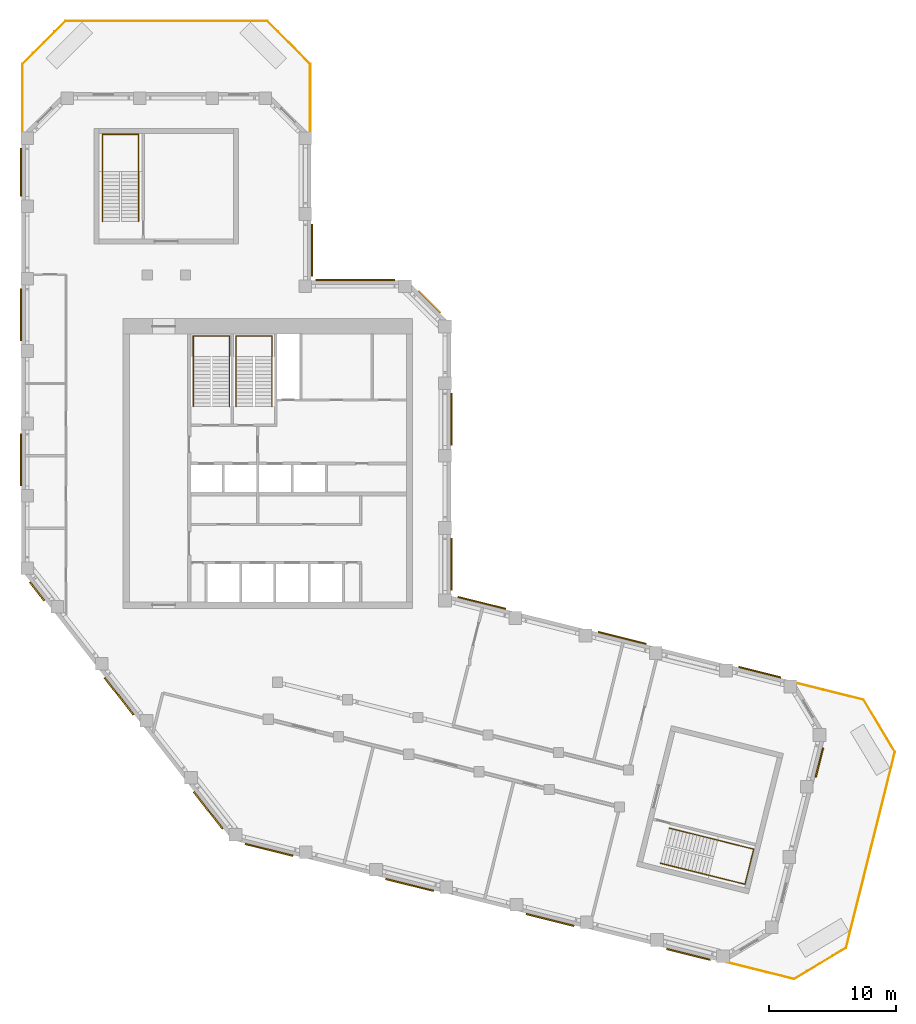
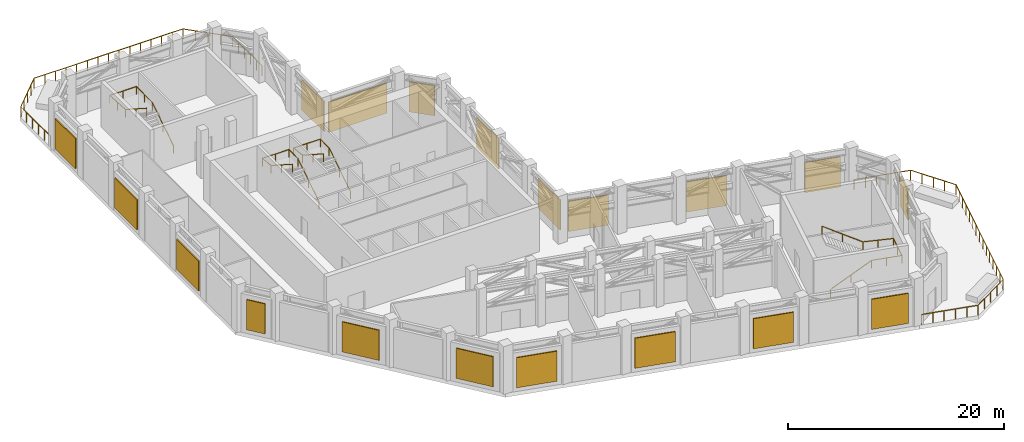
# One storey, part 8 of 8: 19 shading devices, 6 railings.
"""IFC4 building model written with IfcOpenShell, lengths in metres."""

from ifc_helpers import new_model, si_unit, direction, frame, origin, origin_2d, place, context, subcontext, project, spatial, rectangle, circle, extrude, material, layer, layer_set, type_object, element, save


model = new_model("IFC4")

# Units and contexts
model_context = context("Model", 3, precision=1e-05, world=origin(), true_north=direction((0.0, 1.0)))
body_context = subcontext(model_context, "Body", "Model", "MODEL_VIEW")
ifc_project = project(units=[si_unit("LENGTHUNIT", "METRE"), si_unit("AREAUNIT", "SQUARE_METRE"), si_unit("VOLUMEUNIT", "CUBIC_METRE"), si_unit("PLANEANGLEUNIT", "RADIAN"), si_unit("MASSUNIT", "GRAM", prefix="KILO")], contexts=[model_context])

# Site, building, storey
site_placement = place(None, origin())
site = spatial("IfcSite", under=ifc_project, at=site_placement, CompositionType="ELEMENT")
building_placement = place(site_placement, origin())
building = spatial("IfcBuilding", under=site, at=building_placement, Name="Meshkara Civic Tower", CompositionType="ELEMENT")
storey_placement = place(building_placement, frame((0.0, 0.0, 348.60009765625)))
storey = spatial("IfcBuildingStorey", under=building, at=storey_placement, Name="L80", CompositionType="ELEMENT", Elevation=348.60009765625)

# Shading devices
ifc_material_1 = material(Name="Bronze anodised aluminium louvre blades", Category="aluminium")
ifc_layer = layer(ifc_material_1, 0.1201171875)
ifc_layer_set = layer_set([ifc_layer], Name="PLANT LOUVRE BANK")
shading_device_type = type_object("IfcShadingDeviceType", Name="PLANT LOUVRE BANK", PredefinedType="USERDEFINED", material=ifc_layer_set)
shading_device_1_placement = place(storey_placement, frame((58.1259765625, 9.06689453125, 0.5), z_axis=(0.0, 0.0, 1.0), x_axis=(-0.970291503795, 0.241938830418, 0.0)))
element("IfcShadingDevice", 1, at=shading_device_1_placement, inside=storey, type_object=shading_device_type, Name="Louvre bank", ObjectType="LOUVRE", PredefinedType="USERDEFINED", context=body_context, shape_type="SweptSolid", body=[
    extrude(rectangle(XDim=3.403076171875, YDim=0.1201171875, at=origin_2d()), origin(), (0.0, 0.0, 1.0), 3.39990234375),
])
for number, where, z_axis, x_axis, name in (
    (2, (47.300048828125, 11.76708984375, 0.5), (0.0, 0.0, 1.0), (-0.970291503795, 0.241938830418, 0.0), "Louvre bank"),
    (3, (36.239013671875, 14.52490234375, 0.5), (0.0, 0.0, 1.0), (-0.970291503795, 0.241938830418, 0.0), "Louvre bank"),
):
    element("IfcShadingDevice", number, at=place(storey_placement, frame(where, z_axis=z_axis, x_axis=x_axis)), inside=storey, type_object=shading_device_type, Name=name, ObjectType="LOUVRE", PredefinedType="USERDEFINED", context=body_context, shape_type="SweptSolid", body=[
        extrude(rectangle(XDim=3.887939453125, YDim=0.1201171875, at=origin_2d()), origin(), (0.0, 0.0, 1.0), 3.39990234375),
    ])
for number, where, z_axis, x_axis, name in (
    (4, (33.860107421875, 17.569091796875, 0.5), (0.0, 0.0, 1.0), (0.0, 1.0, 0.0), "Louvre bank"),
    (5, (33.860107421875, 28.968994140625, 0.5), (0.0, 0.0, 1.0), (0.0, 1.0, 0.0), "Louvre bank"),
):
    element("IfcShadingDevice", number, at=place(storey_placement, frame(where, z_axis=z_axis, x_axis=x_axis)), inside=storey, type_object=shading_device_type, Name=name, ObjectType="LOUVRE", PredefinedType="USERDEFINED", context=body_context, shape_type="SweptSolid", body=[
        extrude(rectangle(XDim=4.10009765625, YDim=0.1201171875, at=origin_2d()), origin(), (0.0, 0.0, 1.0), 3.39990234375),
    ])
shading_device_2_placement = place(storey_placement, frame((32.132080078125, 38.23193359375, 0.5), z_axis=(0.0, 0.0, 1.0), x_axis=(-0.707106781187, 0.707106781187, 0.0)))
element("IfcShadingDevice", 6, at=shading_device_2_placement, inside=storey, type_object=shading_device_type, Name="Louvre bank", ObjectType="LOUVRE", PredefinedType="USERDEFINED", context=body_context, shape_type="SweptSolid", body=[
    extrude(rectangle(XDim=2.448974609375, YDim=0.1201171875, at=origin_2d()), origin(), (0.0, 0.0, 1.0), 3.39990234375),
])
shading_device_3_placement = place(storey_placement, frame((26.27197265625, 39.9599609375, 0.5), z_axis=(0.0, 0.0, 1.0), x_axis=(-1.0, 0.0, 0.0)))
element("IfcShadingDevice", 7, at=shading_device_3_placement, inside=storey, type_object=shading_device_type, Name="Louvre bank", ObjectType="LOUVRE", PredefinedType="USERDEFINED", context=body_context, shape_type="SweptSolid", body=[
    extrude(rectangle(XDim=6.243896484375, YDim=0.1201171875, at=origin_2d()), origin(), (0.0, 0.0, 1.0), 3.39990234375),
])
shading_device_4_placement = place(storey_placement, frame((22.860107421875, 42.300048828125, 0.5), z_axis=(0.0, 0.0, 1.0), x_axis=(0.0, 1.0, 0.0)))
element("IfcShadingDevice", 8, at=shading_device_4_placement, inside=storey, type_object=shading_device_type, Name="Louvre bank", ObjectType="LOUVRE", PredefinedType="USERDEFINED", context=body_context, shape_type="SweptSolid", body=[
    extrude(rectangle(XDim=4.10009765625, YDim=0.1201171875, at=origin_2d()), origin(), (0.0, 0.0, 1.0), 3.39990234375),
])
shading_device_5_placement = place(storey_placement, frame((-0.06005859375, 48.43408203125, 0.5), z_axis=(0.0, 0.0, 1.0), x_axis=(0.0, -1.0, 0.0)))
element("IfcShadingDevice", 9, at=shading_device_5_placement, inside=storey, type_object=shading_device_type, Name="Louvre bank", ObjectType="LOUVRE", PredefinedType="USERDEFINED", context=body_context, shape_type="SweptSolid", body=[
    extrude(rectangle(XDim=3.759033203125, YDim=0.1201171875, at=origin_2d()), origin(), (0.0, 0.0, 1.0), 3.39990234375),
])
for number, where, z_axis, x_axis, name in (
    (10, (-0.06005859375, 37.205078125, 0.5), (0.0, 0.0, 1.0), (0.0, -1.0, 0.0), "Louvre bank"),
    (11, (-0.06005859375, 25.804931640625, 0.5), (0.0, 0.0, 1.0), (0.0, -1.0, 0.0), "Louvre bank"),
):
    element("IfcShadingDevice", number, at=place(storey_placement, frame(where, z_axis=z_axis, x_axis=x_axis)), inside=storey, type_object=shading_device_type, Name=name, ObjectType="LOUVRE", PredefinedType="USERDEFINED", context=body_context, shape_type="SweptSolid", body=[
        extrude(rectangle(XDim=4.10009765625, YDim=0.1201171875, at=origin_2d()), origin(), (0.0, 0.0, 1.0), 3.39990234375),
    ])
shading_device_6_placement = place(storey_placement, frame((1.22998046875, 15.427978515625, 0.5), z_axis=(0.0, 0.0, 1.0), x_axis=(0.615661475326, -0.788010753607, 0.0)))
element("IfcShadingDevice", 12, at=shading_device_6_placement, inside=storey, type_object=shading_device_type, Name="Louvre bank", ObjectType="LOUVRE", PredefinedType="USERDEFINED", context=body_context, shape_type="SweptSolid", body=[
    extrude(rectangle(XDim=1.8359375, YDim=0.1201171875, at=origin_2d()), origin(), (0.0, 0.0, 1.0), 3.39990234375),
])
shading_device_7_placement = place(storey_placement, frame((7.676025390625, 7.177001953125, 0.5), z_axis=(0.0, 0.0, 1.0), x_axis=(0.615661475326, -0.788010753607, 0.0)))
element("IfcShadingDevice", 13, at=shading_device_7_placement, inside=storey, type_object=shading_device_type, Name="Louvre bank", ObjectType="LOUVRE", PredefinedType="USERDEFINED", context=body_context, shape_type="SweptSolid", body=[
    extrude(rectangle(XDim=3.697021484375, YDim=0.1201171875, at=origin_2d()), origin(), (0.0, 0.0, 1.0), 3.39990234375),
])
shading_device_8_placement = place(storey_placement, frame((14.695068359375, -1.805908203125, 0.5), z_axis=(0.0, 0.0, 1.0), x_axis=(0.615661475326, -0.788010753607, 0.0)))
element("IfcShadingDevice", 14, at=shading_device_8_placement, inside=storey, type_object=shading_device_type, Name="Louvre bank", ObjectType="LOUVRE", PredefinedType="USERDEFINED", context=body_context, shape_type="SweptSolid", body=[
    extrude(rectangle(XDim=3.696044921875, YDim=0.1201171875, at=origin_2d()), origin(), (0.0, 0.0, 1.0), 3.39990234375),
])
for number, where, z_axis, x_axis, name in (
    (15, (19.492919921875, -4.922119140625, 0.5), (0.0, 0.0, 1.0), (0.970295726276, -0.2419218956, 0.0), "Louvre bank"),
    (16, (30.553955078125, -7.679931640625, 0.5), (0.0, 0.0, 1.0), (0.970295726276, -0.2419218956, 0.0), "Louvre bank"),
):
    element("IfcShadingDevice", number, at=place(storey_placement, frame(where, z_axis=z_axis, x_axis=x_axis)), inside=storey, type_object=shading_device_type, Name=name, ObjectType="LOUVRE", PredefinedType="USERDEFINED", context=body_context, shape_type="SweptSolid", body=[
        extrude(rectangle(XDim=3.887939453125, YDim=0.1201171875, at=origin_2d()), origin(), (0.0, 0.0, 1.0), 3.39990234375),
    ])
shading_device_9_placement = place(storey_placement, frame((41.615966796875, -10.43798828125, 0.5), z_axis=(0.0, 0.0, 1.0), x_axis=(0.970295726276, -0.2419218956, 0.0)))
element("IfcShadingDevice", 17, at=shading_device_9_placement, inside=storey, type_object=shading_device_type, Name="Louvre bank", ObjectType="LOUVRE", PredefinedType="USERDEFINED", context=body_context, shape_type="SweptSolid", body=[
    extrude(rectangle(XDim=3.886962890625, YDim=0.1201171875, at=origin_2d()), origin(), (0.0, 0.0, 1.0), 3.39990234375),
])
shading_device_10_placement = place(storey_placement, frame((52.511962890625, -13.155029296875, 0.5), z_axis=(0.0, 0.0, 1.0), x_axis=(0.970295726276, -0.2419218956, 0.0)))
element("IfcShadingDevice", 18, at=shading_device_10_placement, inside=storey, type_object=shading_device_type, Name="Louvre bank", ObjectType="LOUVRE", PredefinedType="USERDEFINED", context=body_context, shape_type="SweptSolid", body=[
    extrude(rectangle(XDim=3.547119140625, YDim=0.1201171875, at=origin_2d()), origin(), (0.0, 0.0, 1.0), 3.39990234375),
])
shading_device_11_placement = place(storey_placement, frame((62.821044921875, 1.9599609375, 0.5), z_axis=(0.0, 0.0, 1.0), x_axis=(0.2419218956, 0.970295726276, 0.0)))
element("IfcShadingDevice", 19, at=shading_device_11_placement, inside=storey, type_object=shading_device_type, Name="Louvre bank", ObjectType="LOUVRE", PredefinedType="USERDEFINED", context=body_context, shape_type="SweptSolid", body=[
    extrude(rectangle(XDim=2.375, YDim=0.1201171875, at=origin_2d()), origin(), (0.0, 0.0, 1.0), 3.39990234375),
])

# Railings
ifc_material_2 = material(Name="Steel handrail", Category="steel")
railing_type_1 = type_object("IfcRailingType", Name="Stair handrail 900", PredefinedType="HANDRAIL", material=ifc_material_2)
railing_1_placement = place(storey_placement, frame((16.375, 30.0, 0.179931640625)))
element("IfcRailing", 20, at=railing_1_placement, inside=storey, type_object=railing_type_1, Name="L80 ST1 stair handrail 1", PredefinedType="HANDRAIL", context=body_context, shape_type="SweptSolid", body=[
    extrude(circle(Radius=0.02392578125, at=origin_2d()), frame((0.0, 0.0, 0.8759765625), z_axis=(0.0, 0.841171666519, 0.540768182723), x_axis=(-1.0, 0.0, 0.0)), (0.0, 0.0, 1.0), 4.66015625),
    extrude(circle(Radius=0.02392578125, at=origin_2d()), frame((0.0, 3.919921875, 3.39599609375), z_axis=(0.0, 1.0, 0.0), x_axis=(-1.0, 0.0, 0.0)), (0.0, 0.0, 1.0), 1.630126953125),
    extrude(circle(Radius=0.02392578125, at=origin_2d()), frame((0.0, 5.550048828125, 3.39599609375), z_axis=(-1.0, 0.0, 0.0), x_axis=(0.0, -1.0, 0.0)), (0.0, 0.0, 1.0), 2.85009765625),
    extrude(circle(Radius=0.02392578125, at=origin_2d()), frame((-2.85009765625, 5.550048828125, 3.39599609375), z_axis=(0.0, -0.99396335279, 0.10971259413), x_axis=(1.0, 0.0, 0.0)), (0.0, 0.0, 1.0), 1.64013671875),
    extrude(circle(Radius=0.02392578125, at=origin_2d()), frame((-2.85009765625, 3.919921875, 3.57568359375), z_axis=(0.0, -0.841171666519, 0.540768182723), x_axis=(1.0, 0.0, 0.0)), (0.0, 0.0, 1.0), 4.66015625),
    extrude(circle(Radius=0.02099609375, at=origin_2d()), origin(), (0.0, 0.0, 1.0), 0.851806640625),
    extrude(circle(Radius=0.02099609375, at=origin_2d()), frame((0.0, 1.9599609375, 1.260009765625)), (0.0, 0.0, 1.0), 0.851806640625),
    extrude(circle(Radius=0.02099609375, at=origin_2d()), frame((0.0, 3.919921875, 2.52001953125)), (0.0, 0.0, 1.0), 0.851806640625),
    extrude(circle(Radius=0.02099609375, at=origin_2d()), frame((0.0, 5.550048828125, 2.52001953125)), (0.0, 0.0, 1.0), 0.851806640625),
    extrude(circle(Radius=0.02099609375, at=origin_2d()), frame((-1.425048828125, 5.550048828125, 2.52001953125)), (0.0, 0.0, 1.0), 0.851806640625),
    extrude(circle(Radius=0.02099609375, at=origin_2d()), frame((-2.85009765625, 5.550048828125, 2.52001953125)), (0.0, 0.0, 1.0), 0.851806640625),
    extrude(circle(Radius=0.02099609375, at=origin_2d()), frame((-2.85009765625, 3.919921875, 2.699951171875)), (0.0, 0.0, 1.0), 0.851806640625),
    extrude(circle(Radius=0.02099609375, at=origin_2d()), frame((-2.85009765625, 1.9599609375, 3.9599609375)), (0.0, 0.0, 1.0), 0.851806640625),
    extrude(circle(Radius=0.02099609375, at=origin_2d()), frame((-2.85009765625, 0.0, 5.219970703125)), (0.0, 0.0, 1.0), 0.851806640625),
])
railing_2_placement = place(storey_placement, frame((19.72509765625, 30.0, 0.179931640625)))
element("IfcRailing", 21, at=railing_2_placement, inside=storey, type_object=railing_type_1, Name="L80 ST2 stair handrail 1", PredefinedType="HANDRAIL", context=body_context, shape_type="SweptSolid", body=[
    extrude(circle(Radius=0.02392578125, at=origin_2d()), frame((0.0, 0.0, 0.8759765625), z_axis=(0.0, 0.841171666519, 0.540768182723), x_axis=(-1.0, 0.0, 0.0)), (0.0, 0.0, 1.0), 4.66015625),
    extrude(circle(Radius=0.02392578125, at=origin_2d()), frame((0.0, 3.919921875, 3.39599609375), z_axis=(0.0, 1.0, 0.0), x_axis=(-1.0, 0.0, 0.0)), (0.0, 0.0, 1.0), 1.630126953125),
    extrude(circle(Radius=0.02392578125, at=origin_2d()), frame((0.0, 5.550048828125, 3.39599609375), z_axis=(-1.0, 0.0, 0.0), x_axis=(0.0, -1.0, 0.0)), (0.0, 0.0, 1.0), 2.85009765625),
    extrude(circle(Radius=0.02392578125, at=origin_2d()), frame((-2.85009765625, 5.550048828125, 3.39599609375), z_axis=(0.0, -0.99396335279, 0.10971259413), x_axis=(1.0, 0.0, 0.0)), (0.0, 0.0, 1.0), 1.64013671875),
    extrude(circle(Radius=0.02392578125, at=origin_2d()), frame((-2.85009765625, 3.919921875, 3.57568359375), z_axis=(0.0, -0.841171666519, 0.540768182723), x_axis=(1.0, 0.0, 0.0)), (0.0, 0.0, 1.0), 4.66015625),
    extrude(circle(Radius=0.02099609375, at=origin_2d()), origin(), (0.0, 0.0, 1.0), 0.851806640625),
    extrude(circle(Radius=0.02099609375, at=origin_2d()), frame((0.0, 1.9599609375, 1.260009765625)), (0.0, 0.0, 1.0), 0.851806640625),
    extrude(circle(Radius=0.02099609375, at=origin_2d()), frame((0.0, 3.919921875, 2.52001953125)), (0.0, 0.0, 1.0), 0.851806640625),
    extrude(circle(Radius=0.02099609375, at=origin_2d()), frame((0.0, 5.550048828125, 2.52001953125)), (0.0, 0.0, 1.0), 0.851806640625),
    extrude(circle(Radius=0.02099609375, at=origin_2d()), frame((-1.425048828125, 5.550048828125, 2.52001953125)), (0.0, 0.0, 1.0), 0.851806640625),
    extrude(circle(Radius=0.02099609375, at=origin_2d()), frame((-2.85009765625, 5.550048828125, 2.52001953125)), (0.0, 0.0, 1.0), 0.851806640625),
    extrude(circle(Radius=0.02099609375, at=origin_2d()), frame((-2.85009765625, 3.919921875, 2.699951171875)), (0.0, 0.0, 1.0), 0.851806640625),
    extrude(circle(Radius=0.02099609375, at=origin_2d()), frame((-2.85009765625, 1.9599609375, 3.9599609375)), (0.0, 0.0, 1.0), 0.851806640625),
    extrude(circle(Radius=0.02099609375, at=origin_2d()), frame((-2.85009765625, 0.0, 5.219970703125)), (0.0, 0.0, 1.0), 0.851806640625),
])
railing_3_placement = place(storey_placement, frame((9.22509765625, 44.570068359375, 0.179931640625)))
element("IfcRailing", 22, at=railing_3_placement, inside=storey, type_object=railing_type_1, Name="L80 ESA6 stair handrail 1", PredefinedType="HANDRAIL", context=body_context, shape_type="SweptSolid", body=[
    extrude(circle(Radius=0.02392578125, at=origin_2d()), frame((0.0, 0.0, 0.8759765625), z_axis=(0.0, 0.841171666519, 0.540768182723), x_axis=(-1.0, 0.0, 0.0)), (0.0, 0.0, 1.0), 4.66015625),
    extrude(circle(Radius=0.02392578125, at=origin_2d()), frame((0.0, 3.919921875, 3.39599609375), z_axis=(0.0, 1.0, 0.0), x_axis=(-1.0, 0.0, 0.0)), (0.0, 0.0, 1.0), 2.929931640625),
    extrude(circle(Radius=0.02392578125, at=origin_2d()), frame((0.0, 6.849853515625, 3.39599609375), z_axis=(-1.0, 0.0, 0.0), x_axis=(0.0, -1.0, 0.0)), (0.0, 0.0, 1.0), 2.85009765625),
    extrude(circle(Radius=0.02392578125, at=origin_2d()), frame((-2.85009765625, 6.849853515625, 3.39599609375), z_axis=(0.0, -0.99811962785, 0.061296072471), x_axis=(1.0, 0.0, 0.0)), (0.0, 0.0, 1.0), 2.935546875),
    extrude(circle(Radius=0.02392578125, at=origin_2d()), frame((-2.85009765625, 3.919921875, 3.57568359375), z_axis=(0.0, -0.841171666519, 0.540768182723), x_axis=(1.0, 0.0, 0.0)), (0.0, 0.0, 1.0), 4.66015625),
    extrude(circle(Radius=0.02099609375, at=origin_2d()), origin(), (0.0, 0.0, 1.0), 0.851806640625),
    extrude(circle(Radius=0.02099609375, at=origin_2d()), frame((0.0, 1.9599609375, 1.260009765625)), (0.0, 0.0, 1.0), 0.851806640625),
    extrude(circle(Radius=0.02099609375, at=origin_2d()), frame((0.0, 3.919921875, 2.52001953125)), (0.0, 0.0, 1.0), 0.851806640625),
    extrude(circle(Radius=0.02099609375, at=origin_2d()), frame((0.0, 5.384765625, 2.52001953125)), (0.0, 0.0, 1.0), 0.851806640625),
    extrude(circle(Radius=0.02099609375, at=origin_2d()), frame((0.0, 6.849853515625, 2.52001953125)), (0.0, 0.0, 1.0), 0.851806640625),
    extrude(circle(Radius=0.02099609375, at=origin_2d()), frame((-1.425048828125, 6.849853515625, 2.52001953125)), (0.0, 0.0, 1.0), 0.851806640625),
    extrude(circle(Radius=0.02099609375, at=origin_2d()), frame((-2.85009765625, 6.849853515625, 2.52001953125)), (0.0, 0.0, 1.0), 0.851806640625),
    extrude(circle(Radius=0.02099609375, at=origin_2d()), frame((-2.85009765625, 5.384765625, 2.60986328125)), (0.0, 0.0, 1.0), 0.851806640625),
    extrude(circle(Radius=0.02099609375, at=origin_2d()), frame((-2.85009765625, 3.919921875, 2.699951171875)), (0.0, 0.0, 1.0), 0.851806640625),
    extrude(circle(Radius=0.02099609375, at=origin_2d()), frame((-2.85009765625, 1.9599609375, 3.9599609375)), (0.0, 0.0, 1.0), 0.851806640625),
    extrude(circle(Radius=0.02099609375, at=origin_2d()), frame((-2.85009765625, 0.0, 5.219970703125)), (0.0, 0.0, 1.0), 0.851806640625),
])
railing_4_placement = place(storey_placement, frame((50.31884765625, -5.975341796875, 0.179931640625)))
element("IfcRailing", 23, at=railing_4_placement, inside=storey, type_object=railing_type_1, Name="L80 ESB6 stair handrail 1", PredefinedType="HANDRAIL", context=body_context, shape_type="SweptSolid", body=[
    extrude(circle(Radius=0.02392578125, at=origin_2d()), frame((0.0, 0.0, 0.8759765625), z_axis=(0.816212861428, -0.203424553333, 0.540754117822), x_axis=(0.241832166762, 0.970318093781, 0.0)), (0.0, 0.0, 1.0), 4.66015625),
    extrude(circle(Radius=0.02392578125, at=origin_2d()), frame((3.8037109375, -0.947998046875, 3.39599609375), z_axis=(0.970323584082, -0.241810136626, 0.0), x_axis=(0.241810136626, 0.970323584082, 0.0)), (0.0, 0.0, 1.0), 2.929931640625),
    extrude(circle(Radius=0.02392578125, at=origin_2d()), frame((6.646728515625, -1.656494140625, 3.39599609375), z_axis=(0.24183009087, 0.970318611153, 0.0), x_axis=(-0.970318611153, 0.24183009087, 0.0)), (0.0, 0.0, 1.0), 2.849853515625),
    extrude(circle(Radius=0.02392578125, at=origin_2d()), frame((7.3359375, 1.10888671875, 3.39599609375), z_axis=(-0.968479616819, 0.241433776524, 0.061294072786), x_axis=(-0.241888587383, -0.97030403034, 0.0)), (0.0, 0.0, 1.0), 2.935546875),
    extrude(circle(Radius=0.02392578125, at=origin_2d()), frame((4.492919921875, 1.817626953125, 3.57568359375), z_axis=(-0.816221558915, 0.203374331945, 0.540759880046), x_axis=(-0.241773528006, -0.970332706424, 0.0)), (0.0, 0.0, 1.0), 4.66015625),
    extrude(circle(Radius=0.02099609375, at=origin_2d()), origin(), (0.0, 0.0, 1.0), 0.851806640625),
    extrude(circle(Radius=0.02099609375, at=origin_2d()), frame((1.90185546875, -0.47412109375, 1.260009765625)), (0.0, 0.0, 1.0), 0.851806640625),
    extrude(circle(Radius=0.02099609375, at=origin_2d()), frame((3.8037109375, -0.947998046875, 2.52001953125)), (0.0, 0.0, 1.0), 0.851806640625),
    extrude(circle(Radius=0.02099609375, at=origin_2d()), frame((5.22509765625, -1.30224609375, 2.52001953125)), (0.0, 0.0, 1.0), 0.851806640625),
    extrude(circle(Radius=0.02099609375, at=origin_2d()), frame((6.646728515625, -1.656494140625, 2.52001953125)), (0.0, 0.0, 1.0), 0.851806640625),
    extrude(circle(Radius=0.02099609375, at=origin_2d()), frame((6.9912109375, -0.27392578125, 2.52001953125)), (0.0, 0.0, 1.0), 0.851806640625),
    extrude(circle(Radius=0.02099609375, at=origin_2d()), frame((7.3359375, 1.10888671875, 2.52001953125)), (0.0, 0.0, 1.0), 0.851806640625),
    extrude(circle(Radius=0.02099609375, at=origin_2d()), frame((5.91455078125, 1.46337890625, 2.60986328125)), (0.0, 0.0, 1.0), 0.851806640625),
    extrude(circle(Radius=0.02099609375, at=origin_2d()), frame((4.492919921875, 1.817626953125, 2.699951171875)), (0.0, 0.0, 1.0), 0.851806640625),
    extrude(circle(Radius=0.02099609375, at=origin_2d()), frame((2.591064453125, 2.29150390625, 3.9599609375)), (0.0, 0.0, 1.0), 0.851806640625),
    extrude(circle(Radius=0.02099609375, at=origin_2d()), frame((0.689208984375, 2.765380859375, 5.219970703125)), (0.0, 0.0, 1.0), 0.851806640625),
])
ifc_material_3 = material(Name="Steel S355", Category="steel")
railing_type_2 = type_object("IfcRailingType", Name="TERRACE BALUSTRADE 1150", PredefinedType="BALUSTRADE", material=ifc_material_3)
railing_5_placement = place(storey_placement, frame((0.070068359375, 51.510986328125, 0.0)))
element("IfcRailing", 24, at=railing_5_placement, inside=storey, type_object=railing_type_2, Name="Terrace guard", PredefinedType="BALUSTRADE", context=body_context, shape_type="SweptSolid", body=[
    extrude(circle(Radius=0.02392578125, at=origin_2d()), frame((0.0, 0.0, 1.1259765625), z_axis=(0.0, 1.0, 0.0), x_axis=(-1.0, 0.0, 0.0)), (0.0, 0.0, 1.0), 5.4599609375),
    extrude(circle(Radius=0.02392578125, at=origin_2d()), frame((0.0, 5.4599609375, 1.1259765625), z_axis=(0.707081235883, 0.707132325567, 0.0), x_axis=(-0.707132325567, 0.707081235883, 0.0)), (0.0, 0.0, 1.0), 4.778564453125),
    extrude(circle(Radius=0.02392578125, at=origin_2d()), frame((3.37890625, 8.839111328125, 1.1259765625), z_axis=(1.0, 0.0, 0.0), x_axis=(0.0, 1.0, 0.0)), (0.0, 0.0, 1.0), 15.902099609375),
    extrude(circle(Radius=0.02392578125, at=origin_2d()), frame((19.281005859375, 8.839111328125, 1.1259765625), z_axis=(0.707081235883, -0.707132325567, 0.0), x_axis=(0.707132325567, 0.707081235883, 0.0)), (0.0, 0.0, 1.0), 4.778564453125),
    extrude(circle(Radius=0.02392578125, at=origin_2d()), frame((22.659912109375, 5.4599609375, 1.1259765625), z_axis=(0.0, -1.0, 0.0), x_axis=(1.0, 0.0, 0.0)), (0.0, 0.0, 1.0), 5.4599609375),
    extrude(circle(Radius=0.02099609375, at=origin_2d()), origin(), (0.0, 0.0, 1.0), 1.101806640625),
    extrude(circle(Radius=0.02099609375, at=origin_2d()), frame((0.0, 1.092041015625, 0.0)), (0.0, 0.0, 1.0), 1.101806640625),
    extrude(circle(Radius=0.02099609375, at=origin_2d()), frame((0.0, 2.18408203125, 0.0)), (0.0, 0.0, 1.0), 1.101806640625),
    extrude(circle(Radius=0.02099609375, at=origin_2d()), frame((0.0, 3.27587890625, 0.0)), (0.0, 0.0, 1.0), 1.101806640625),
    extrude(circle(Radius=0.02099609375, at=origin_2d()), frame((0.0, 4.367919921875, 0.0)), (0.0, 0.0, 1.0), 1.101806640625),
    extrude(circle(Radius=0.02099609375, at=origin_2d()), frame((0.0, 5.4599609375, 0.0)), (0.0, 0.0, 1.0), 1.101806640625),
    extrude(circle(Radius=0.02099609375, at=origin_2d()), frame((0.8447265625, 6.3046875, 0.0)), (0.0, 0.0, 1.0), 1.101806640625),
    extrude(circle(Radius=0.02099609375, at=origin_2d()), frame((1.689453125, 7.1494140625, 0.0)), (0.0, 0.0, 1.0), 1.101806640625),
    extrude(circle(Radius=0.02099609375, at=origin_2d()), frame((2.5341796875, 7.994384765625, 0.0)), (0.0, 0.0, 1.0), 1.101806640625),
    extrude(circle(Radius=0.02099609375, at=origin_2d()), frame((3.37890625, 8.839111328125, 0.0)), (0.0, 0.0, 1.0), 1.101806640625),
    extrude(circle(Radius=0.02099609375, at=origin_2d()), frame((4.5146484375, 8.839111328125, 0.0)), (0.0, 0.0, 1.0), 1.101806640625),
    extrude(circle(Radius=0.02099609375, at=origin_2d()), frame((5.650634765625, 8.839111328125, 0.0)), (0.0, 0.0, 1.0), 1.101806640625),
    extrude(circle(Radius=0.02099609375, at=origin_2d()), frame((6.78662109375, 8.839111328125, 0.0)), (0.0, 0.0, 1.0), 1.101806640625),
    extrude(circle(Radius=0.02099609375, at=origin_2d()), frame((7.92236328125, 8.839111328125, 0.0)), (0.0, 0.0, 1.0), 1.101806640625),
    extrude(circle(Radius=0.02099609375, at=origin_2d()), frame((9.05810546875, 8.839111328125, 0.0)), (0.0, 0.0, 1.0), 1.101806640625),
    extrude(circle(Radius=0.02099609375, at=origin_2d()), frame((10.194091796875, 8.839111328125, 0.0)), (0.0, 0.0, 1.0), 1.101806640625),
    extrude(circle(Radius=0.02099609375, at=origin_2d()), frame((11.330078125, 8.839111328125, 0.0)), (0.0, 0.0, 1.0), 1.101806640625),
    extrude(circle(Radius=0.02099609375, at=origin_2d()), frame((12.4658203125, 8.839111328125, 0.0)), (0.0, 0.0, 1.0), 1.101806640625),
    extrude(circle(Radius=0.02099609375, at=origin_2d()), frame((13.6015625, 8.839111328125, 0.0)), (0.0, 0.0, 1.0), 1.101806640625),
    extrude(circle(Radius=0.02099609375, at=origin_2d()), frame((14.737548828125, 8.839111328125, 0.0)), (0.0, 0.0, 1.0), 1.101806640625),
    extrude(circle(Radius=0.02099609375, at=origin_2d()), frame((15.87353515625, 8.839111328125, 0.0)), (0.0, 0.0, 1.0), 1.101806640625),
    extrude(circle(Radius=0.02099609375, at=origin_2d()), frame((17.00927734375, 8.839111328125, 0.0)), (0.0, 0.0, 1.0), 1.101806640625),
    extrude(circle(Radius=0.02099609375, at=origin_2d()), frame((18.14501953125, 8.839111328125, 0.0)), (0.0, 0.0, 1.0), 1.101806640625),
    extrude(circle(Radius=0.02099609375, at=origin_2d()), frame((19.281005859375, 8.839111328125, 0.0)), (0.0, 0.0, 1.0), 1.101806640625),
    extrude(circle(Radius=0.02099609375, at=origin_2d()), frame((20.125732421875, 7.994384765625, 0.0)), (0.0, 0.0, 1.0), 1.101806640625),
    extrude(circle(Radius=0.02099609375, at=origin_2d()), frame((20.970458984375, 7.1494140625, 0.0)), (0.0, 0.0, 1.0), 1.101806640625),
    extrude(circle(Radius=0.02099609375, at=origin_2d()), frame((21.815185546875, 6.3046875, 0.0)), (0.0, 0.0, 1.0), 1.101806640625),
    extrude(circle(Radius=0.02099609375, at=origin_2d()), frame((22.659912109375, 5.4599609375, 0.0)), (0.0, 0.0, 1.0), 1.101806640625),
    extrude(circle(Radius=0.02099609375, at=origin_2d()), frame((22.659912109375, 4.367919921875, 0.0)), (0.0, 0.0, 1.0), 1.101806640625),
    extrude(circle(Radius=0.02099609375, at=origin_2d()), frame((22.659912109375, 3.27587890625, 0.0)), (0.0, 0.0, 1.0), 1.101806640625),
    extrude(circle(Radius=0.02099609375, at=origin_2d()), frame((22.659912109375, 2.18408203125, 0.0)), (0.0, 0.0, 1.0), 1.101806640625),
    extrude(circle(Radius=0.02099609375, at=origin_2d()), frame((22.659912109375, 1.092041015625, 0.0)), (0.0, 0.0, 1.0), 1.101806640625),
    extrude(circle(Radius=0.02099609375, at=origin_2d()), frame((22.659912109375, 0.0, 0.0)), (0.0, 0.0, 1.0), 1.101806640625),
])
railing_6_placement = place(storey_placement, frame((61.010986328125, 8.214111328125, 0.0)))
element("IfcRailing", 25, at=railing_6_placement, inside=storey, type_object=railing_type_2, Name="Terrace guard", PredefinedType="BALUSTRADE", context=body_context, shape_type="SweptSolid", body=[
    extrude(circle(Radius=0.02392578125, at=origin_2d()), frame((0.0, 0.0, 1.1259765625), z_axis=(0.970281759871, -0.241977904902, 0.0), x_axis=(0.241977904902, 0.970281759871, 0.0)), (0.0, 0.0, 1.0), 5.45947265625),
    extrude(circle(Radius=0.02392578125, at=origin_2d()), frame((5.297119140625, -1.321044921875, 1.1259765625), z_axis=(0.515014101709, -0.857181704798, 0.0), x_axis=(0.857181704798, 0.515014101709, 0.0)), (0.0, 0.0, 1.0), 4.7783203125),
    extrude(circle(Radius=0.02392578125, at=origin_2d()), frame((7.758056640625, -5.4169921875, 1.1259765625), z_axis=(-0.241921445716, -0.970295838444, 0.0), x_axis=(0.970295838444, -0.241921445716, 0.0)), (0.0, 0.0, 1.0), 15.901611328125),
    extrude(circle(Radius=0.02392578125, at=origin_2d()), frame((3.9111328125, -20.84619140625, 1.1259765625), z_axis=(-0.857050796703, -0.515231920469, 0.0), x_axis=(0.515231920469, -0.857050796703, 0.0)), (0.0, 0.0, 1.0), 4.7783203125),
    extrude(circle(Radius=0.02392578125, at=origin_2d()), frame((-0.18408203125, -23.30810546875, 1.1259765625), z_axis=(-0.970289613784, 0.241946410147, 0.0), x_axis=(-0.241946410147, -0.970289613784, 0.0)), (0.0, 0.0, 1.0), 5.4599609375),
    extrude(circle(Radius=0.02099609375, at=origin_2d()), origin(), (0.0, 0.0, 1.0), 1.101806640625),
    extrude(circle(Radius=0.02099609375, at=origin_2d()), frame((1.059326171875, -0.26416015625, 0.0)), (0.0, 0.0, 1.0), 1.101806640625),
    extrude(circle(Radius=0.02099609375, at=origin_2d()), frame((2.118896484375, -0.5283203125, 0.0)), (0.0, 0.0, 1.0), 1.101806640625),
    extrude(circle(Radius=0.02099609375, at=origin_2d()), frame((3.17822265625, -0.792724609375, 0.0)), (0.0, 0.0, 1.0), 1.101806640625),
    extrude(circle(Radius=0.02099609375, at=origin_2d()), frame((4.23779296875, -1.056884765625, 0.0)), (0.0, 0.0, 1.0), 1.101806640625),
    extrude(circle(Radius=0.02099609375, at=origin_2d()), frame((5.297119140625, -1.321044921875, 0.0)), (0.0, 0.0, 1.0), 1.101806640625),
    extrude(circle(Radius=0.02099609375, at=origin_2d()), frame((5.912353515625, -2.344970703125, 0.0)), (0.0, 0.0, 1.0), 1.101806640625),
    extrude(circle(Radius=0.02099609375, at=origin_2d()), frame((6.527587890625, -3.369140625, 0.0)), (0.0, 0.0, 1.0), 1.101806640625),
    extrude(circle(Radius=0.02099609375, at=origin_2d()), frame((7.142822265625, -4.39306640625, 0.0)), (0.0, 0.0, 1.0), 1.101806640625),
    extrude(circle(Radius=0.02099609375, at=origin_2d()), frame((7.758056640625, -5.4169921875, 0.0)), (0.0, 0.0, 1.0), 1.101806640625),
    extrude(circle(Radius=0.02099609375, at=origin_2d()), frame((7.4833984375, -6.51904296875, 0.0)), (0.0, 0.0, 1.0), 1.101806640625),
    extrude(circle(Radius=0.02099609375, at=origin_2d()), frame((7.20849609375, -7.62109375, 0.0)), (0.0, 0.0, 1.0), 1.101806640625),
    extrude(circle(Radius=0.02099609375, at=origin_2d()), frame((6.93359375, -8.72314453125, 0.0)), (0.0, 0.0, 1.0), 1.101806640625),
    extrude(circle(Radius=0.02099609375, at=origin_2d()), frame((6.658935546875, -9.825439453125, 0.0)), (0.0, 0.0, 1.0), 1.101806640625),
    extrude(circle(Radius=0.02099609375, at=origin_2d()), frame((6.38427734375, -10.927490234375, 0.0)), (0.0, 0.0, 1.0), 1.101806640625),
    extrude(circle(Radius=0.02099609375, at=origin_2d()), frame((6.109375, -12.029541015625, 0.0)), (0.0, 0.0, 1.0), 1.101806640625),
    extrude(circle(Radius=0.02099609375, at=origin_2d()), frame((5.83447265625, -13.131591796875, 0.0)), (0.0, 0.0, 1.0), 1.101806640625),
    extrude(circle(Radius=0.02099609375, at=origin_2d()), frame((5.559814453125, -14.233642578125, 0.0)), (0.0, 0.0, 1.0), 1.101806640625),
    extrude(circle(Radius=0.02099609375, at=origin_2d()), frame((5.28515625, -15.335693359375, 0.0)), (0.0, 0.0, 1.0), 1.101806640625),
    extrude(circle(Radius=0.02099609375, at=origin_2d()), frame((5.01025390625, -16.437744140625, 0.0)), (0.0, 0.0, 1.0), 1.101806640625),
    extrude(circle(Radius=0.02099609375, at=origin_2d()), frame((4.7353515625, -17.5400390625, 0.0)), (0.0, 0.0, 1.0), 1.101806640625),
    extrude(circle(Radius=0.02099609375, at=origin_2d()), frame((4.460693359375, -18.64208984375, 0.0)), (0.0, 0.0, 1.0), 1.101806640625),
    extrude(circle(Radius=0.02099609375, at=origin_2d()), frame((4.18603515625, -19.744140625, 0.0)), (0.0, 0.0, 1.0), 1.101806640625),
    extrude(circle(Radius=0.02099609375, at=origin_2d()), frame((3.9111328125, -20.84619140625, 0.0)), (0.0, 0.0, 1.0), 1.101806640625),
    extrude(circle(Radius=0.02099609375, at=origin_2d()), frame((2.88720703125, -21.461669921875, 0.0)), (0.0, 0.0, 1.0), 1.101806640625),
    extrude(circle(Radius=0.02099609375, at=origin_2d()), frame((1.863525390625, -22.0771484375, 0.0)), (0.0, 0.0, 1.0), 1.101806640625),
    extrude(circle(Radius=0.02099609375, at=origin_2d()), frame((0.83984375, -22.692626953125, 0.0)), (0.0, 0.0, 1.0), 1.101806640625),
    extrude(circle(Radius=0.02099609375, at=origin_2d()), frame((-0.18408203125, -23.30810546875, 0.0)), (0.0, 0.0, 1.0), 1.101806640625),
    extrude(circle(Radius=0.02099609375, at=origin_2d()), frame((-1.24365234375, -23.0439453125, 0.0)), (0.0, 0.0, 1.0), 1.101806640625),
    extrude(circle(Radius=0.02099609375, at=origin_2d()), frame((-2.30322265625, -22.77978515625, 0.0)), (0.0, 0.0, 1.0), 1.101806640625),
    extrude(circle(Radius=0.02099609375, at=origin_2d()), frame((-3.36279296875, -22.515380859375, 0.0)), (0.0, 0.0, 1.0), 1.101806640625),
    extrude(circle(Radius=0.02099609375, at=origin_2d()), frame((-4.42236328125, -22.251220703125, 0.0)), (0.0, 0.0, 1.0), 1.101806640625),
    extrude(circle(Radius=0.02099609375, at=origin_2d()), frame((-5.48193359375, -21.987060546875, 0.0)), (0.0, 0.0, 1.0), 1.101806640625),
])

save(model, "model.ifc")
